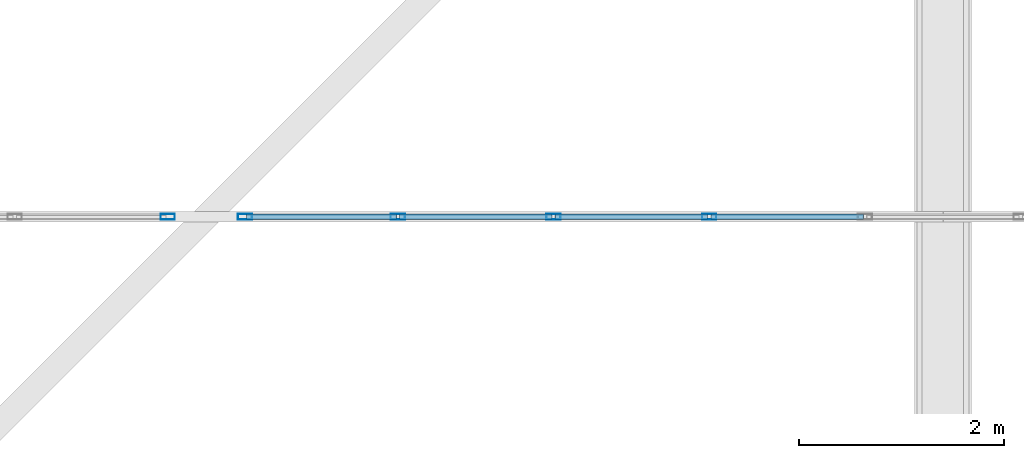
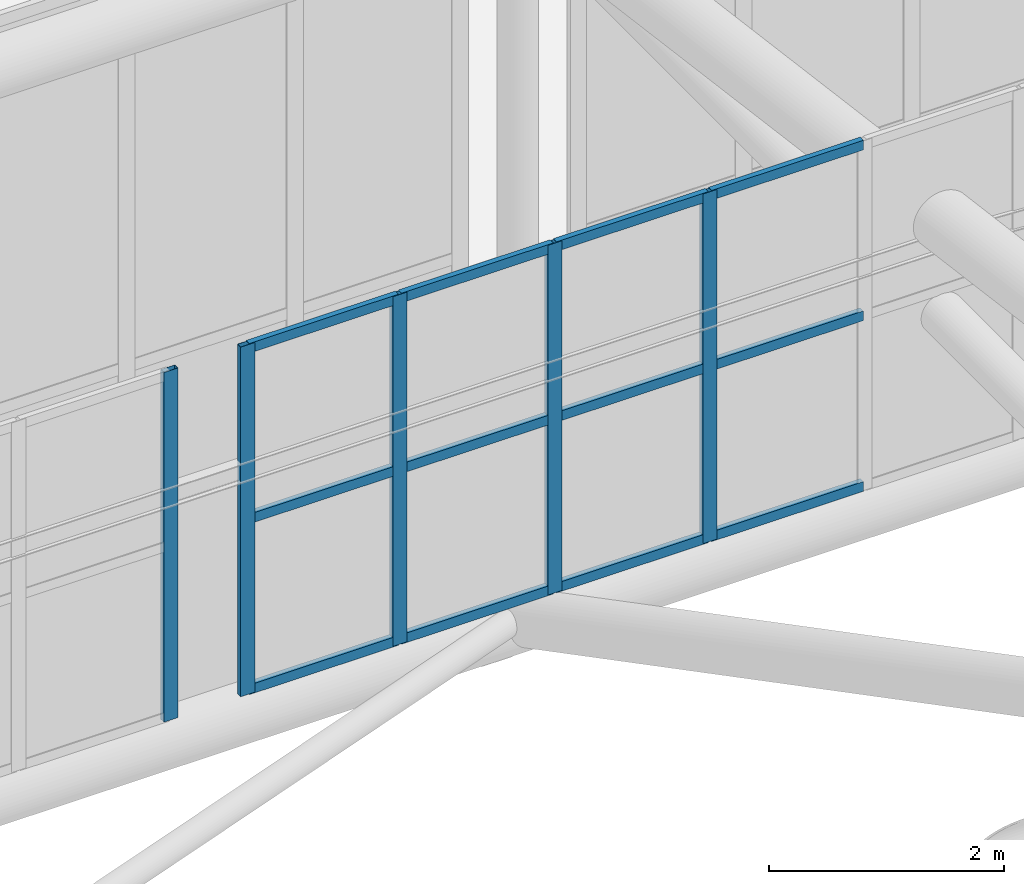
# One storey, part 304 of 397: 17 members, 2 elements without a shape of their own.
"""IFC4 building model written with IfcOpenShell, lengths in metres."""

import ifcopenshell
import ifcopenshell.guid

model = None  # the IFC model being written
_history = None  # IfcOwnerHistory: only IFC2X3 demands one
_inside = {}  # id of a spatial element -> (the spatial element, [elements in it])
_under = {}  # id of a project, library or spatial element -> (it, [spatial elements below it])
_declared = {}  # id of a project -> (the project, [libraries it declares])
_typed = {}  # id of a type object -> (the type object, [elements of that type])
_made_of = {}  # id of a material, layer set ... -> (it, [elements and type objects made of it])


def new_model(schema):
    """Start an empty IFC model of exactly this schema.

    Asked for "IFC4X3", IfcOpenShell would pick the latest addendum, in which some entities
    have other attributes; the version numbers below select the first issue.
    IFC2X3 requires an IfcOwnerHistory on every rooted entity: one is made here for all.
    """
    global model, _history
    if schema == "IFC4X3":
        model = ifcopenshell.file(schema_version=(4, 3, 0, 0))
    else:
        model = ifcopenshell.file(schema=schema)
    _inside.clear()
    _under.clear()
    _declared.clear()
    _typed.clear()
    _made_of.clear()
    _history = None
    if model.schema == "IFC2X3":
        org = make("IfcOrganization", Name="unknown")
        user = make(
            "IfcPersonAndOrganization",
            ThePerson=make("IfcPerson", FamilyName="unknown"),
            TheOrganization=org,
        )
        app = make(
            "IfcApplication",
            ApplicationDeveloper=org,
            Version="unknown",
            ApplicationFullName="unknown",
            ApplicationIdentifier="unknown",
        )
        _history = make(
            "IfcOwnerHistory",
            OwningUser=user,
            OwningApplication=app,
            ChangeAction="ADDED",
            CreationDate=0,
        )
    return model


def make(cls, **values):
    """One entity of the class cls with the attributes given. An attribute that is None is left unset."""
    return model.create_entity(
        cls, **{name: value for name, value in values.items() if value is not None}
    )


def rooted(cls, **values):
    """An entity with a GlobalId (a new one), such as an element, a storey or a relation."""
    return make(cls, GlobalId=ifcopenshell.guid.new(), OwnerHistory=_history, **values)


def si_unit(unit_type, name, prefix=None):
    """IfcSIUnit, for example si_unit("LENGTHUNIT", "METRE", prefix="MILLI")."""
    return make("IfcSIUnit", UnitType=unit_type, Prefix=prefix, Name=name)


def assignment(units):
    """IfcUnitAssignment: the units of a project."""
    return None if units is None else make("IfcUnitAssignment", Units=units)


def point(xyz):
    """IfcCartesianPoint."""
    return None if xyz is None else make("IfcCartesianPoint", Coordinates=xyz)


def direction(xyz):
    """IfcDirection."""
    return None if xyz is None else make("IfcDirection", DirectionRatios=xyz)


def frame(location, z_axis=None, x_axis=None):
    """IfcAxis2Placement3D, a coordinate frame: its origin and axes. An axis left out is left unset."""
    return make(
        "IfcAxis2Placement3D",
        Location=point(location),
        Axis=direction(z_axis),
        RefDirection=direction(x_axis),
    )


def frame_2d(location, x_axis=None):
    """IfcAxis2Placement2D, a coordinate frame in the plane: its origin and x axis."""
    return make(
        "IfcAxis2Placement2D", Location=point(location), RefDirection=direction(x_axis)
    )


def origin():
    """The frame at (0, 0, 0) with its axes left unset."""
    return frame((0.0, 0.0, 0.0))


def origin_2d():
    """The frame at (0, 0) in the plane with its x axis left unset."""
    return frame_2d((0.0, 0.0))


def place(relative_to, where):
    """IfcLocalPlacement: puts the frame where relative to a parent placement (None: the world)."""
    return make(
        "IfcLocalPlacement", PlacementRelTo=relative_to, RelativePlacement=where
    )


def context(
    kind, dimensions, precision=None, world=None, true_north=None, identifier=None
):
    """IfcGeometricRepresentationContext, for example the 3D "Model" context."""
    return make(
        "IfcGeometricRepresentationContext",
        ContextIdentifier=identifier,
        ContextType=kind,
        CoordinateSpaceDimension=dimensions,
        Precision=precision,
        WorldCoordinateSystem=world,
        TrueNorth=true_north,
    )


def subcontext(parent, identifier, kind, view, scale=None):
    """IfcGeometricRepresentationSubContext, for example "Body" below "Model"."""
    return make(
        "IfcGeometricRepresentationSubContext",
        ContextIdentifier=identifier,
        ContextType=kind,
        ParentContext=parent,
        TargetScale=scale,
        TargetView=view,
    )


def project(units=None, contexts=None):
    """IfcProject with its units and contexts."""
    return rooted(
        "IfcProject",
        Name="project",
        RepresentationContexts=contexts,
        UnitsInContext=assignment(units),
    )


def spatial(cls, under=None, at=None, **own):
    """A site, building, storey or space (cls), placed at a placement, below another one or the project."""
    s = rooted(cls, ObjectPlacement=at, **own)
    if under is not None:
        _under.setdefault(under.id(), (under, []))[1].append(s)
    return s


def profile(cls, at=None, kind="AREA", **sizes):
    """A parametric profile (cls). Its sizes go by their IFC names, for example OverallWidth=200.0."""
    return make(cls, ProfileType=kind, Position=at, **sizes)


def hollow_rectangle(**sizes):
    """IfcRectangleHollowProfileDef."""
    return profile("IfcRectangleHollowProfileDef", **sizes)


def extrude(swept, where, along, depth):
    """IfcExtrudedAreaSolid: the profile swept, set in the frame where, extruded along a direction by depth."""
    return make(
        "IfcExtrudedAreaSolid",
        SweptArea=swept,
        Position=where,
        ExtrudedDirection=direction(along),
        Depth=depth,
    )


def shape(context_of_items, identifier, shape_type, items):
    """IfcShapeRepresentation: the items that make up one representation, for example the "Body"."""
    return make(
        "IfcShapeRepresentation",
        ContextOfItems=context_of_items,
        RepresentationIdentifier=identifier,
        RepresentationType=shape_type,
        Items=items,
    )


def material(Name=None, Category=None):
    """IfcMaterial."""
    return make("IfcMaterial", Name=Name, Category=Category)


def material_profile(
    of_material, cross_section, Name=None, Category=None, Priority=None
):
    """IfcMaterialProfile: a cross section and its material."""
    return make(
        "IfcMaterialProfile",
        Name=Name,
        Material=of_material,
        Profile=cross_section,
        Priority=Priority,
        Category=Category,
    )


def profile_set(profiles, Name=None, composite=None):
    """IfcMaterialProfileSet."""
    return make(
        "IfcMaterialProfileSet",
        Name=Name,
        MaterialProfiles=profiles,
        CompositeProfile=composite,
    )


def made_of(thing, what):
    """Note that an element or type object is made of a material, layer set ...; save() writes the relation."""
    if what is not None:
        _made_of.setdefault(what.id(), (what, []))[1].append(thing)
    return thing


def type_object(cls, material=None, **own):
    """A type object (cls), such as IfcWallType, which elements share."""
    return made_of(rooted(cls, **own), material)


def element(
    cls,
    number,
    at=None,
    inside=None,
    cuts=None,
    type_object=None,
    material=None,
    context=None,
    identifier="Body",
    shape_type=None,
    held_by="IfcProductDefinitionShape",
    body=None,
    shapes=None,
    **own,
):
    """One element of the class cls, such as IfcWall. Its Tag is "e" and its number.

    at: its placement. inside: the storey or other place that contains it. cuts: it is an
    opening in that element (IfcRelVoidsElement). A single representation is given by context,
    identifier, shape_type and body (its items); several are given by shapes. held_by: the class
    of the entity that holds the representations. save() writes the other relations.
    """
    e = rooted(cls, Tag="e%d" % number, ObjectPlacement=at, **own)
    if body is not None:
        shapes = [shape(context, identifier, shape_type, body)]
    if shapes is not None:
        e.Representation = make(held_by, Representations=shapes)
    if inside is not None:
        _inside.setdefault(inside.id(), (inside, []))[1].append(e)
    if cuts is not None:
        rooted(
            "IfcRelVoidsElement", RelatingBuildingElement=cuts, RelatedOpeningElement=e
        )
    if type_object is not None:
        _typed.setdefault(type_object.id(), (type_object, []))[1].append(e)
    return made_of(e, material)


def aggregate(whole, parts):
    """IfcRelAggregates: a whole, such as a stair, and the parts it consists of."""
    return rooted("IfcRelAggregates", RelatingObject=whole, RelatedObjects=parts)


def save(model, path):
    """Write the relations noted so far, then the file.

    IfcRelAggregates (storeys below a building ...), IfcRelContainedInSpatialStructure (elements
    in a storey), IfcRelDefinesByType, IfcRelAssociatesMaterial and IfcRelDeclares: one each for
    every whole, place, type object, material and project.
    """
    for whole, parts in _under.values():
        aggregate(whole, parts)
    for where, things in _inside.values():
        rooted(
            "IfcRelContainedInSpatialStructure",
            RelatedElements=things,
            RelatingStructure=where,
        )
    for kind, things in _typed.values():
        rooted("IfcRelDefinesByType", RelatedObjects=things, RelatingType=kind)
    for what, things in _made_of.values():
        rooted("IfcRelAssociatesMaterial", RelatedObjects=things, RelatingMaterial=what)
    for by, libraries in _declared.values():
        rooted("IfcRelDeclares", RelatingContext=by, RelatedDefinitions=libraries)
    model.write(path)


model = new_model("IFC4")

# Units and contexts
model_context = context("Model", 3, precision=1e-05, world=origin(), true_north=direction((0.0, 1.0)))
body_context = subcontext(model_context, "Body", "Model", "MODEL_VIEW")
ifc_project = project(units=[si_unit("LENGTHUNIT", "METRE"), si_unit("AREAUNIT", "SQUARE_METRE"), si_unit("VOLUMEUNIT", "CUBIC_METRE"), si_unit("PLANEANGLEUNIT", "RADIAN"), si_unit("MASSUNIT", "GRAM", prefix="KILO")], contexts=[model_context])

# Site, building, storey
site_placement = place(None, origin())
site = spatial("IfcSite", under=ifc_project, at=site_placement, CompositionType="ELEMENT")
building_placement = place(site_placement, origin())
building = spatial("IfcBuilding", under=site, at=building_placement, Name="Qandorah Velis Arena", CompositionType="ELEMENT")
storey_placement = place(building_placement, frame((0.0, 0.0, 27.5)))
storey = spatial("IfcBuildingStorey", under=building, at=storey_placement, Name="RF", CompositionType="ELEMENT", Elevation=27.5)

# Curtain wall, member
ifc_material_1 = material(Name="Solar-control low-E double glazing", Category="glass")
curtain_wall_type_1 = type_object("IfcCurtainWallType", Name="ARC-CW-SYS03", PredefinedType="USERDEFINED", material=ifc_material_1)
curtain_wall_1_placement = place(storey_placement, origin())
curtain_wall_1 = element("IfcCurtainWall", 1, at=curtain_wall_1_placement, inside=storey, type_object=curtain_wall_type_1, Name="Unitised curtain wall MON-4-3", ObjectType="UNITISED CURTAIN WALL", PredefinedType="USERDEFINED")
ifc_material_2 = material(Name="Champagne-bronze anodized aluminium 6063-T6", Category="aluminium")
ifc_material_profile_1 = material_profile(ifc_material_2, hollow_rectangle(XDim=0.054931640625, YDim=0.139892578125, WallThickness=0.0029296875, at=origin_2d()), Name="ALU MULLION 55x140")
ifc_profile_set_1 = profile_set([ifc_material_profile_1], Name="Champagne-bronze anodized aluminium 6063-T6")
member_type_1 = type_object("IfcMemberType", Name="ARC-CWM-140", PredefinedType="MULLION", material=ifc_profile_set_1)
member_1_placement = place(storey_placement, frame((64.422607421875, 108.0, 6.064697265625), z_axis=(0.0, 0.0, 1.0), x_axis=(0.0, 1.0, 0.0)))
member_1 = element("IfcMember", 2, at=member_1_placement, type_object=member_type_1, Name="CW03 mullion 10", PredefinedType="MULLION", context=body_context, shape_type="SweptSolid", body=[
    extrude(hollow_rectangle(XDim=0.054931640625, YDim=0.139892578125, WallThickness=0.0029296875, at=origin_2d()), origin(), (0.0, 0.0, 1.0), 3.6298828125),
])
aggregate(curtain_wall_1, [member_1])

# Curtain wall, members
curtain_wall_type_2 = type_object("IfcCurtainWallType", Name="ARC-CW-SYS04", PredefinedType="USERDEFINED", material=ifc_material_1)
curtain_wall_2_placement = place(storey_placement, origin())
curtain_wall_2 = element("IfcCurtainWall", 3, at=curtain_wall_2_placement, inside=storey, type_object=curtain_wall_type_2, Name="Unitised curtain wall MON-4-4", ObjectType="UNITISED CURTAIN WALL", PredefinedType="USERDEFINED")
member_2_placement = place(storey_placement, frame((65.177490234375, 108.0, 6.064697265625), z_axis=(0.0, 0.0, 1.0), x_axis=(0.0, 1.0, 0.0)))
member_2 = element("IfcMember", 4, at=member_2_placement, type_object=member_type_1, Name="CW04 mullion 1", PredefinedType="MULLION", context=body_context, shape_type="SweptSolid", body=[
    extrude(hollow_rectangle(XDim=0.054931640625, YDim=0.139892578125, WallThickness=0.0029296875, at=origin_2d()), origin(), (0.0, 0.0, 1.0), 3.6298828125),
])
member_3_placement = place(storey_placement, frame((66.672119140625, 108.0, 6.064697265625), z_axis=(0.0, 0.0, 1.0), x_axis=(0.0, 1.0, 0.0)))
member_3 = element("IfcMember", 5, at=member_3_placement, type_object=member_type_1, Name="CW04 mullion 2", PredefinedType="MULLION", context=body_context, shape_type="SweptSolid", body=[
    extrude(hollow_rectangle(XDim=0.054931640625, YDim=0.139892578125, WallThickness=0.0029296875, at=origin_2d()), origin(), (0.0, 0.0, 1.0), 3.6298828125),
])
member_4_placement = place(storey_placement, frame((68.1943359375, 108.0, 6.064697265625), z_axis=(0.0, 0.0, 1.0), x_axis=(0.0, 1.0, 0.0)))
member_4 = element("IfcMember", 6, at=member_4_placement, type_object=member_type_1, Name="CW04 mullion 3", PredefinedType="MULLION", context=body_context, shape_type="SweptSolid", body=[
    extrude(hollow_rectangle(XDim=0.054931640625, YDim=0.139892578125, WallThickness=0.0029296875, at=origin_2d()), origin(), (0.0, 0.0, 1.0), 3.6298828125),
])
member_5_placement = place(storey_placement, frame((69.716552734375, 108.0, 6.064697265625), z_axis=(0.0, 0.0, 1.0), x_axis=(0.0, 1.0, 0.0)))
member_5 = element("IfcMember", 7, at=member_5_placement, type_object=member_type_1, Name="CW04 mullion 4", PredefinedType="MULLION", context=body_context, shape_type="SweptSolid", body=[
    extrude(hollow_rectangle(XDim=0.054931640625, YDim=0.139892578125, WallThickness=0.0029296875, at=origin_2d()), origin(), (0.0, 0.0, 1.0), 3.6298828125),
])
ifc_material_profile_2 = material_profile(ifc_material_2, hollow_rectangle(XDim=0.054931640625, YDim=0.10009765625, WallThickness=0.0029296875, at=origin_2d()), Name="ALU TRANSOM 55x100")
ifc_profile_set_2 = profile_set([ifc_material_profile_2], Name="Champagne-bronze anodized aluminium 6063-T6")
member_type_2 = type_object("IfcMemberType", Name="ARC-CWT-100", PredefinedType="USERDEFINED", material=ifc_profile_set_2)
member_6_placement = place(storey_placement, frame((65.193115234375, 108.0, 6.107177734375), z_axis=(1.0, 0.0, 0.0), x_axis=(0.0, 1.0, 0.0)))
member_6 = element("IfcMember", 8, at=member_6_placement, type_object=member_type_2, Name="CW04 transom 1.1", ObjectType="TRANSOM", PredefinedType="USERDEFINED", context=body_context, shape_type="SweptSolid", body=[
    extrude(hollow_rectangle(XDim=0.054931640625, YDim=0.10009765625, WallThickness=0.0029296875, at=origin_2d()), origin(), (0.0, 0.0, 1.0), 1.463623046875),
])
member_7_placement = place(storey_placement, frame((65.193115234375, 108.0, 7.879638671875), z_axis=(1.0, 0.0, 0.0), x_axis=(0.0, 1.0, 0.0)))
member_7 = element("IfcMember", 9, at=member_7_placement, type_object=member_type_2, Name="CW04 transom 1.2", ObjectType="TRANSOM", PredefinedType="USERDEFINED", context=body_context, shape_type="SweptSolid", body=[
    extrude(hollow_rectangle(XDim=0.054931640625, YDim=0.10009765625, WallThickness=0.0029296875, at=origin_2d()), origin(), (0.0, 0.0, 1.0), 1.463623046875),
])
member_8_placement = place(storey_placement, frame((65.193115234375, 108.0, 9.652099609375), z_axis=(1.0, 0.0, 0.0), x_axis=(0.0, 1.0, 0.0)))
member_8 = element("IfcMember", 10, at=member_8_placement, type_object=member_type_2, Name="CW04 transom 1.3", ObjectType="TRANSOM", PredefinedType="USERDEFINED", context=body_context, shape_type="SweptSolid", body=[
    extrude(hollow_rectangle(XDim=0.054931640625, YDim=0.10009765625, WallThickness=0.0029296875, at=origin_2d()), origin(), (0.0, 0.0, 1.0), 1.463623046875),
])
member_9_placement = place(storey_placement, frame((66.687744140625, 108.0, 6.107177734375), z_axis=(1.0, 0.0, 0.0), x_axis=(0.0, 1.0, 0.0)))
member_9 = element("IfcMember", 11, at=member_9_placement, type_object=member_type_2, Name="CW04 transom 2.1", ObjectType="TRANSOM", PredefinedType="USERDEFINED", context=body_context, shape_type="SweptSolid", body=[
    extrude(hollow_rectangle(XDim=0.054931640625, YDim=0.10009765625, WallThickness=0.0029296875, at=origin_2d()), origin(), (0.0, 0.0, 1.0), 1.4912109375),
])
member_10_placement = place(storey_placement, frame((66.687744140625, 108.0, 7.879638671875), z_axis=(1.0, 0.0, 0.0), x_axis=(0.0, 1.0, 0.0)))
member_10 = element("IfcMember", 12, at=member_10_placement, type_object=member_type_2, Name="CW04 transom 2.2", ObjectType="TRANSOM", PredefinedType="USERDEFINED", context=body_context, shape_type="SweptSolid", body=[
    extrude(hollow_rectangle(XDim=0.054931640625, YDim=0.10009765625, WallThickness=0.0029296875, at=origin_2d()), origin(), (0.0, 0.0, 1.0), 1.4912109375),
])
member_11_placement = place(storey_placement, frame((66.687744140625, 108.0, 9.652099609375), z_axis=(1.0, 0.0, 0.0), x_axis=(0.0, 1.0, 0.0)))
member_11 = element("IfcMember", 13, at=member_11_placement, type_object=member_type_2, Name="CW04 transom 2.3", ObjectType="TRANSOM", PredefinedType="USERDEFINED", context=body_context, shape_type="SweptSolid", body=[
    extrude(hollow_rectangle(XDim=0.054931640625, YDim=0.10009765625, WallThickness=0.0029296875, at=origin_2d()), origin(), (0.0, 0.0, 1.0), 1.4912109375),
])
member_12_placement = place(storey_placement, frame((68.2099609375, 108.0, 6.107177734375), z_axis=(1.0, 0.0, 0.0), x_axis=(0.0, 1.0, 0.0)))
member_12 = element("IfcMember", 14, at=member_12_placement, type_object=member_type_2, Name="CW04 transom 3.1", ObjectType="TRANSOM", PredefinedType="USERDEFINED", context=body_context, shape_type="SweptSolid", body=[
    extrude(hollow_rectangle(XDim=0.054931640625, YDim=0.10009765625, WallThickness=0.0029296875, at=origin_2d()), origin(), (0.0, 0.0, 1.0), 1.4912109375),
])
member_13_placement = place(storey_placement, frame((68.2099609375, 108.0, 7.879638671875), z_axis=(1.0, 0.0, 0.0), x_axis=(0.0, 1.0, 0.0)))
member_13 = element("IfcMember", 15, at=member_13_placement, type_object=member_type_2, Name="CW04 transom 3.2", ObjectType="TRANSOM", PredefinedType="USERDEFINED", context=body_context, shape_type="SweptSolid", body=[
    extrude(hollow_rectangle(XDim=0.054931640625, YDim=0.10009765625, WallThickness=0.0029296875, at=origin_2d()), origin(), (0.0, 0.0, 1.0), 1.4912109375),
])
member_14_placement = place(storey_placement, frame((68.2099609375, 108.0, 9.652099609375), z_axis=(1.0, 0.0, 0.0), x_axis=(0.0, 1.0, 0.0)))
member_14 = element("IfcMember", 16, at=member_14_placement, type_object=member_type_2, Name="CW04 transom 3.3", ObjectType="TRANSOM", PredefinedType="USERDEFINED", context=body_context, shape_type="SweptSolid", body=[
    extrude(hollow_rectangle(XDim=0.054931640625, YDim=0.10009765625, WallThickness=0.0029296875, at=origin_2d()), origin(), (0.0, 0.0, 1.0), 1.4912109375),
])
member_15_placement = place(storey_placement, frame((69.732177734375, 108.0, 6.107177734375), z_axis=(1.0, 0.0, 0.0), x_axis=(0.0, 1.0, 0.0)))
member_15 = element("IfcMember", 17, at=member_15_placement, type_object=member_type_2, Name="CW04 transom 4.1", ObjectType="TRANSOM", PredefinedType="USERDEFINED", context=body_context, shape_type="SweptSolid", body=[
    extrude(hollow_rectangle(XDim=0.054931640625, YDim=0.10009765625, WallThickness=0.0029296875, at=origin_2d()), origin(), (0.0, 0.0, 1.0), 1.4912109375),
])
member_16_placement = place(storey_placement, frame((69.732177734375, 108.0, 7.879638671875), z_axis=(1.0, 0.0, 0.0), x_axis=(0.0, 1.0, 0.0)))
member_16 = element("IfcMember", 18, at=member_16_placement, type_object=member_type_2, Name="CW04 transom 4.2", ObjectType="TRANSOM", PredefinedType="USERDEFINED", context=body_context, shape_type="SweptSolid", body=[
    extrude(hollow_rectangle(XDim=0.054931640625, YDim=0.10009765625, WallThickness=0.0029296875, at=origin_2d()), origin(), (0.0, 0.0, 1.0), 1.4912109375),
])
member_17_placement = place(storey_placement, frame((69.732177734375, 108.0, 9.652099609375), z_axis=(1.0, 0.0, 0.0), x_axis=(0.0, 1.0, 0.0)))
member_17 = element("IfcMember", 19, at=member_17_placement, type_object=member_type_2, Name="CW04 transom 4.3", ObjectType="TRANSOM", PredefinedType="USERDEFINED", context=body_context, shape_type="SweptSolid", body=[
    extrude(hollow_rectangle(XDim=0.054931640625, YDim=0.10009765625, WallThickness=0.0029296875, at=origin_2d()), origin(), (0.0, 0.0, 1.0), 1.4912109375),
])
aggregate(curtain_wall_2, [member_2, member_3, member_4, member_5, member_6, member_7, member_8, member_9, member_10, member_11, member_12, member_13, member_14, member_15, member_16, member_17])

save(model, "model.ifc")
